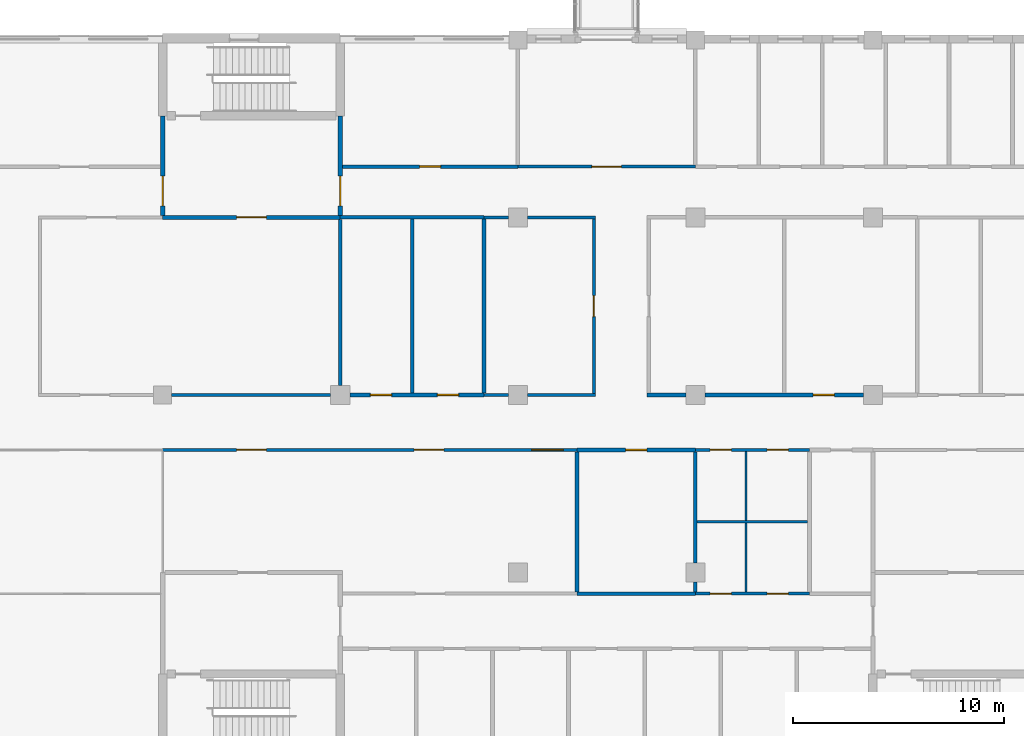
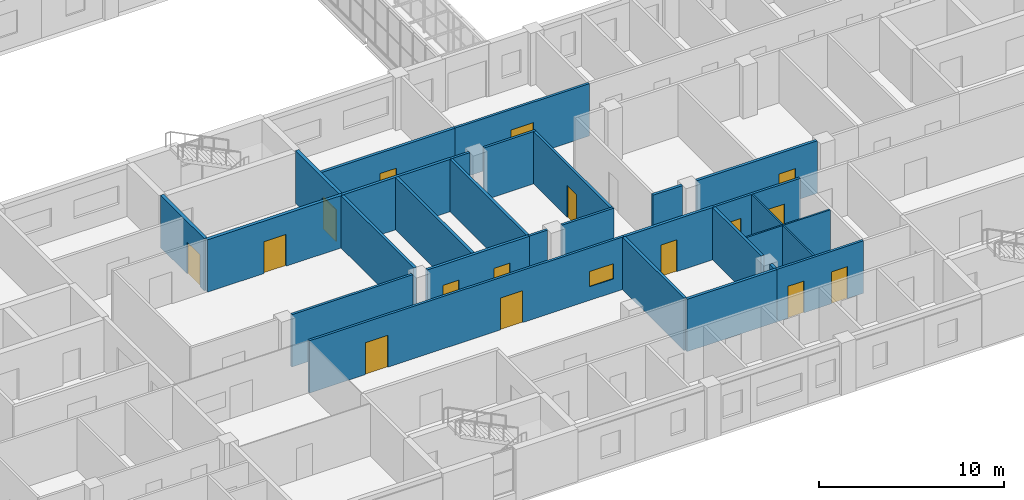
# One storey, part 54 of 94: 29 walls, 16 doors, 1 window, 17 openings.
"""IFC4 building model written with IfcOpenShell, lengths in metres."""

from ifc_helpers import new_model, si_unit, direction, frame, frame_2d, origin, place, context, subcontext, project, spatial, rectangle, extrude, material, layer, layer_set, type_object, element, fill, save


model = new_model("IFC4")

# Units and contexts
model_context = context("Model", 3, precision=1e-05, world=origin(), true_north=direction((0.0, 1.0)))
body_context = subcontext(model_context, "Body", "Model", "MODEL_VIEW")
ifc_project = project(units=[si_unit("LENGTHUNIT", "METRE"), si_unit("AREAUNIT", "SQUARE_METRE"), si_unit("VOLUMEUNIT", "CUBIC_METRE"), si_unit("PLANEANGLEUNIT", "RADIAN"), si_unit("MASSUNIT", "GRAM", prefix="KILO")], contexts=[model_context])

# Site, building, storey
site_placement = place(None, origin())
site = spatial("IfcSite", under=ifc_project, at=site_placement, CompositionType="ELEMENT")
building_placement = place(site_placement, origin())
building = spatial("IfcBuilding", under=site, at=building_placement, Name="Yavir Park General Hospital", CompositionType="ELEMENT")
storey_placement = place(building_placement, frame((0.0, 0.0, 4.5)))
storey = spatial("IfcBuildingStorey", under=building, at=storey_placement, Name="L01", CompositionType="ELEMENT", Elevation=4.5)

# Wall
ifc_material_1 = material(Name="Double-leaf gypsum board acoustic partition on staggered studs")
ifc_layer_1 = layer(ifc_material_1, 0.175048828125)
ifc_layer_set_1 = layer_set([ifc_layer_1], Name="Double-leaf gypsum board acoustic partition on staggered studs")
wall_type_1 = type_object("IfcWallType", Name="Acoustic partition 175", PredefinedType="PARTITIONING", material=ifc_layer_set_1)
wall_1_placement = place(storey_placement, frame((53.199951171875, 7.39990234375, 0.0), z_axis=(0.0, 0.0, 1.0), x_axis=(1.0, 0.0, 0.0)))
element("IfcWall", 1, at=wall_1_placement, inside=storey, type_object=wall_type_1, Name="AP175 L01-017", PredefinedType="PARTITIONING", context=body_context, shape_type="SweptSolid", body=[
    extrude(rectangle(XDim=5.60009765625, YDim=0.175048828125, at=frame_2d((2.800048828125, 0.0))), origin(), (0.0, 0.0, 1.0), 3.449951171875),
])

# Wall, opening, door
wall_2_placement = place(storey_placement, frame((53.199951171875, 14.199951171875, 0.0), z_axis=(0.0, 0.0, 1.0), x_axis=(1.0, 0.0, 0.0)))
wall_2 = element("IfcWall", 2, at=wall_2_placement, inside=storey, type_object=wall_type_1, Name="AP175 L01-049", PredefinedType="PARTITIONING", context=body_context, shape_type="SweptSolid", body=[
    extrude(rectangle(XDim=5.60009765625, YDim=0.175048828125, at=frame_2d((2.800048828125, 0.0))), origin(), (0.0, 0.0, 1.0), 3.449951171875),
])
opening_1_placement = place(wall_2_placement, frame((2.300048828125, 0.0, 0.0)))
opening_1 = element("IfcOpeningElement", 3, at=opening_1_placement, cuts=wall_2, Name="Opening L01.D062", PredefinedType="OPENING", context=body_context, shape_type="SweptSolid", body=[
    extrude(rectangle(XDim=1.0, YDim=2.10009765625, at=frame_2d((0.5, 1.050048828125))), frame((0.0, 0.097412109375, 0.0), z_axis=(0.0, -1.0, 0.0), x_axis=(1.0, 0.0, 0.0)), (0.0, 0.0, 1.0), 0.195068359375),
])
ifc_material_2 = material(Name="Sealed solid-core acoustic door leaf, Rw 42 dB")
door_type_1 = type_object("IfcDoorType", Name="Acoustic door 1000 x 2100", OperationType="SINGLE_SWING_LEFT", PredefinedType="DOOR", material=ifc_material_2)
door_1_placement = place(opening_1_placement, origin())
door_1 = element("IfcDoor", 4, at=door_1_placement, inside=storey, type_object=door_type_1, Name="L01.D062", OperationType="SINGLE_SWING_LEFT", OverallHeight=2.10009765625, OverallWidth=1.0, PredefinedType="DOOR", context=body_context, shape_type="SweptSolid", body=[
    extrude(rectangle(XDim=1.0, YDim=2.10009765625, at=frame_2d((0.5, 1.050048828125))), frame((0.0, 0.03515625, 0.0), z_axis=(0.0, -1.0, 0.0), x_axis=(1.0, 0.0, 0.0)), (0.0, 0.0, 1.0), 0.070068359375),
])
fill(opening_1, door_1)

# Wall, openings, doors
wall_3_placement = place(storey_placement, frame((42.449951171875, 16.800048828125, 0.0), z_axis=(0.0, 0.0, 1.0), x_axis=(1.0, 0.0, 0.0)))
wall_3 = element("IfcWall", 5, at=wall_3_placement, inside=storey, type_object=wall_type_1, Name="AP175 L01-070", PredefinedType="PARTITIONING", context=body_context, shape_type="SweptSolid", body=[
    extrude(rectangle(XDim=6.35009765625, YDim=0.175048828125, at=frame_2d((3.175048828125, 0.0))), origin(), (0.0, 0.0, 1.0), 3.449951171875),
])
opening_2_placement = place(wall_3_placement, frame((0.97509765625, 0.0, 0.0)))
opening_2 = element("IfcOpeningElement", 6, at=opening_2_placement, cuts=wall_3, Name="Opening L01.D085", PredefinedType="OPENING", context=body_context, shape_type="SweptSolid", body=[
    extrude(rectangle(XDim=1.0, YDim=2.10009765625, at=frame_2d((0.5, 1.050048828125))), frame((0.0, 0.097412109375, 0.0), z_axis=(0.0, -1.0, 0.0), x_axis=(1.0, 0.0, 0.0)), (0.0, 0.0, 1.0), 0.195068359375),
])
opening_3_placement = place(wall_3_placement, frame((4.14990234375, 0.0, 0.0)))
opening_3 = element("IfcOpeningElement", 7, at=opening_3_placement, cuts=wall_3, Name="Opening L01.D086", PredefinedType="OPENING", context=body_context, shape_type="SweptSolid", body=[
    extrude(rectangle(XDim=1.0, YDim=2.10009765625, at=frame_2d((0.5, 1.050048828125))), frame((0.0, 0.097412109375, 0.0), z_axis=(0.0, -1.0, 0.0), x_axis=(1.0, 0.0, 0.0)), (0.0, 0.0, 1.0), 0.195068359375),
])
door_2_placement = place(opening_2_placement, origin())
door_2 = element("IfcDoor", 8, at=door_2_placement, inside=storey, type_object=door_type_1, Name="L01.D085", OperationType="SINGLE_SWING_LEFT", OverallHeight=2.10009765625, OverallWidth=1.0, PredefinedType="DOOR", context=body_context, shape_type="SweptSolid", body=[
    extrude(rectangle(XDim=1.0, YDim=2.10009765625, at=frame_2d((0.5, 1.050048828125))), frame((0.0, 0.03515625, 0.0), z_axis=(0.0, -1.0, 0.0), x_axis=(1.0, 0.0, 0.0)), (0.0, 0.0, 1.0), 0.070068359375),
])
fill(opening_2, door_2)
door_3_placement = place(opening_3_placement, origin())
door_3 = element("IfcDoor", 9, at=door_3_placement, inside=storey, type_object=door_type_1, Name="L01.D086", OperationType="SINGLE_SWING_RIGHT", OverallHeight=2.10009765625, OverallWidth=1.0, PredefinedType="DOOR", context=body_context, shape_type="SweptSolid", body=[
    extrude(rectangle(XDim=1.0, YDim=2.10009765625, at=frame_2d((0.5, 1.050048828125))), frame((0.0, 0.03515625, 0.0), z_axis=(0.0, -1.0, 0.0), x_axis=(1.0, 0.0, 0.0)), (0.0, 0.0, 1.0), 0.070068359375),
])
fill(opening_3, door_3)

# Wall
wall_4_placement = place(storey_placement, frame((56.512451171875, 16.800048828125, 0.0), z_axis=(0.0, 0.0, 1.0), x_axis=(1.0, 0.0, 0.0)))
element("IfcWall", 10, at=wall_4_placement, inside=storey, type_object=wall_type_1, Name="AP175 L01-073", PredefinedType="PARTITIONING", context=body_context, shape_type="SweptSolid", body=[
    extrude(rectangle(XDim=1.837646484375, YDim=0.175048828125, at=frame_2d((0.9189453125, 0.0))), origin(), (0.0, 0.0, 1.0), 3.449951171875),
])

# Wall, opening, door
wall_5_placement = place(storey_placement, frame((59.25, 16.800048828125, 0.0), z_axis=(0.0, 0.0, 1.0), x_axis=(1.0, 0.0, 0.0)))
wall_5 = element("IfcWall", 11, at=wall_5_placement, inside=storey, type_object=wall_type_1, Name="AP175 L01-074", PredefinedType="PARTITIONING", context=body_context, shape_type="SweptSolid", body=[
    extrude(rectangle(XDim=7.5, YDim=0.175048828125, at=frame_2d((3.75, 0.0))), origin(), (0.0, 0.0, 1.0), 3.449951171875),
])
opening_4_placement = place(wall_5_placement, frame((5.125, 0.0, 0.0)))
opening_4 = element("IfcOpeningElement", 12, at=opening_4_placement, cuts=wall_5, Name="Opening L01.D087", PredefinedType="OPENING", context=body_context, shape_type="SweptSolid", body=[
    extrude(rectangle(XDim=1.0, YDim=2.10009765625, at=frame_2d((0.5, 1.050048828125))), frame((0.0, 0.097412109375, 0.0), z_axis=(0.0, -1.0, 0.0), x_axis=(1.0, 0.0, 0.0)), (0.0, 0.0, 1.0), 0.195068359375),
])
door_4_placement = place(opening_4_placement, origin())
door_4 = element("IfcDoor", 13, at=door_4_placement, inside=storey, type_object=door_type_1, Name="L01.D087", OperationType="SINGLE_SWING_RIGHT", OverallHeight=2.10009765625, OverallWidth=1.0, PredefinedType="DOOR", context=body_context, shape_type="SweptSolid", body=[
    extrude(rectangle(XDim=1.0, YDim=2.10009765625, at=frame_2d((0.5, 1.050048828125))), frame((0.0, 0.03515625, 0.0), z_axis=(0.0, -1.0, 0.0), x_axis=(1.0, 0.0, 0.0)), (0.0, 0.0, 1.0), 0.070068359375),
])
fill(opening_4, door_4)

# Wall
wall_6_placement = place(storey_placement, frame((42.0, 25.199951171875, 0.0), z_axis=(0.0, 0.0, 1.0), x_axis=(1.0, 0.0, 0.0)))
element("IfcWall", 14, at=wall_6_placement, inside=storey, type_object=wall_type_1, Name="AP175 L01-096", PredefinedType="PARTITIONING", context=body_context, shape_type="SweptSolid", body=[
    extrude(rectangle(XDim=6.800048828125, YDim=0.175048828125, at=frame_2d((3.39990234375, 0.0))), origin(), (0.0, 0.0, 1.0), 3.449951171875),
])

# Wall, opening, door
wall_7_placement = place(storey_placement, frame((42.10009765625, 27.60009765625, 0.0), z_axis=(0.0, 0.0, 1.0), x_axis=(1.0, 0.0, 0.0)))
wall_7 = element("IfcWall", 15, at=wall_7_placement, inside=storey, type_object=wall_type_1, Name="AP175 L01-114", PredefinedType="PARTITIONING", context=body_context, shape_type="SweptSolid", body=[
    extrude(rectangle(XDim=8.2998046875, YDim=0.175048828125, at=frame_2d((4.14990234375, 0.0))), origin(), (0.0, 0.0, 1.0), 3.449951171875),
])
opening_5_placement = place(wall_7_placement, frame((3.64990234375, 0.0, 0.0)))
opening_5 = element("IfcOpeningElement", 16, at=opening_5_placement, cuts=wall_7, Name="Opening L01.D116", PredefinedType="OPENING", context=body_context, shape_type="SweptSolid", body=[
    extrude(rectangle(XDim=1.0, YDim=2.10009765625, at=frame_2d((0.5, 1.050048828125))), frame((0.0, 0.097412109375, 0.0), z_axis=(0.0, -1.0, 0.0), x_axis=(1.0, 0.0, 0.0)), (0.0, 0.0, 1.0), 0.195068359375),
])
door_5_placement = place(opening_5_placement, origin())
door_5 = element("IfcDoor", 17, at=door_5_placement, inside=storey, type_object=door_type_1, Name="L01.D116", OperationType="SINGLE_SWING_LEFT", OverallHeight=2.10009765625, OverallWidth=1.0, PredefinedType="DOOR", context=body_context, shape_type="SweptSolid", body=[
    extrude(rectangle(XDim=1.0, YDim=2.10009765625, at=frame_2d((0.5, 1.050048828125))), frame((0.0, 0.03515625, 0.0), z_axis=(0.0, -1.0, 0.0), x_axis=(1.0, 0.0, 0.0)), (0.0, 0.0, 1.0), 0.070068359375),
])
fill(opening_5, door_5)

# Walls
wall_8_placement = place(storey_placement, frame((42.0, 17.25, 0.0), z_axis=(0.0, 0.0, 1.0), x_axis=(0.0, 1.0, 0.0)))
element("IfcWall", 18, at=wall_8_placement, inside=storey, type_object=wall_type_1, Name="AP175 L01-336", PredefinedType="PARTITIONING", context=body_context, shape_type="SweptSolid", body=[
    extrude(rectangle(XDim=7.85009765625, YDim=0.175048828125, at=frame_2d((3.925048828125, 0.0))), origin(), (0.0, 0.0, 1.0), 3.449951171875),
])
for number, where, z_axis, x_axis, name in (
    (19, (45.39990234375, 16.887451171875, 0.0), (0.0, 0.0, 1.0), (0.0, 1.0, 0.0), "AP175 L01-343"),
    (20, (48.800048828125, 16.887451171875, 0.0), (0.0, 0.0, 1.0), (0.0, 1.0, 0.0), "AP175 L01-347"),
):
    element("IfcWall", number, at=place(storey_placement, frame(where, z_axis=z_axis, x_axis=x_axis)), inside=storey, type_object=wall_type_1, Name=name, PredefinedType="PARTITIONING", context=body_context, shape_type="SweptSolid", body=[
        extrude(rectangle(XDim=8.22509765625, YDim=0.175048828125, at=frame_2d((4.112548828125, 0.0))), origin(), (0.0, 0.0, 1.0), 3.449951171875),
    ])
wall_9_placement = place(storey_placement, frame((53.199951171875, 7.487548828125, 0.0), z_axis=(0.0, 0.0, 1.0), x_axis=(0.0, 1.0, 0.0)))
element("IfcWall", 21, at=wall_9_placement, inside=storey, type_object=wall_type_1, Name="AP175 L01-354", PredefinedType="PARTITIONING", context=body_context, shape_type="SweptSolid", body=[
    extrude(rectangle(XDim=6.625, YDim=0.175048828125, at=frame_2d((3.3125, 0.0))), origin(), (0.0, 0.0, 1.0), 3.449951171875),
])
wall_10_placement = place(storey_placement, frame((58.800048828125, 7.487548828125, 0.0), z_axis=(0.0, 0.0, 1.0), x_axis=(0.0, 1.0, 0.0)))
element("IfcWall", 22, at=wall_10_placement, inside=storey, type_object=wall_type_1, Name="AP175 L01-359", PredefinedType="PARTITIONING", context=body_context, shape_type="SweptSolid", body=[
    extrude(rectangle(XDim=0.46240234375, YDim=0.175048828125, at=frame_2d((0.231201171875, 0.0))), origin(), (0.0, 0.0, 1.0), 3.449951171875),
])
wall_11_placement = place(storey_placement, frame((58.800048828125, 8.85009765625, 0.0), z_axis=(0.0, 0.0, 1.0), x_axis=(0.0, 1.0, 0.0)))
element("IfcWall", 23, at=wall_11_placement, inside=storey, type_object=wall_type_1, Name="AP175 L01-360", PredefinedType="PARTITIONING", context=body_context, shape_type="SweptSolid", body=[
    extrude(rectangle(XDim=5.262451171875, YDim=0.175048828125, at=frame_2d((2.63134765625, 0.0))), origin(), (0.0, 0.0, 1.0), 3.449951171875),
])

# Wall, opening, door
ifc_material_3 = material(Name="Double gypsum board fire partition on steel studs", Category="steel")
ifc_layer_2 = layer(ifc_material_3, 0.199951171875)
ifc_layer_set_2 = layer_set([ifc_layer_2], Name="Double gypsum board fire partition on steel studs")
wall_type_2 = type_object("IfcWallType", Name="Fire-rated partition 200, EI 60", PredefinedType="PARTITIONING", material=ifc_layer_set_2)
wall_12_placement = place(storey_placement, frame((33.60009765625, 25.199951171875, 0.0), z_axis=(0.0, 0.0, 1.0), x_axis=(1.0, 0.0, 0.0)))
wall_12 = element("IfcWall", 24, at=wall_12_placement, inside=storey, type_object=wall_type_2, Name="FP20 L01-095", PredefinedType="PARTITIONING", context=body_context, shape_type="SweptSolid", body=[
    extrude(rectangle(XDim=8.39990234375, YDim=0.199951171875, at=frame_2d((4.199951171875, 0.0))), origin(), (0.0, 0.0, 1.0), 3.449951171875),
])
opening_6_placement = place(wall_12_placement, frame((3.5, 0.0, 0.0)))
opening_6 = element("IfcOpeningElement", 25, at=opening_6_placement, cuts=wall_12, Name="Opening L01.D112", PredefinedType="OPENING", context=body_context, shape_type="SweptSolid", body=[
    extrude(rectangle(XDim=1.39990234375, YDim=2.10009765625, at=frame_2d((0.699951171875, 1.050048828125))), frame((0.0, 0.10986328125, 0.0), z_axis=(0.0, -1.0, 0.0), x_axis=(1.0, 0.0, 0.0)), (0.0, 0.0, 1.0), 0.219970703125),
])
ifc_material_4 = material(Name="Steel frame, fire-resisting timber leaves", Category="steel")
door_type_2 = type_object("IfcDoorType", Name="Double fire door 1400 x 2100, EI 60", OperationType="DOUBLE_DOOR_SINGLE_SWING", PredefinedType="DOOR", material=ifc_material_4)
door_6_placement = place(opening_6_placement, origin())
door_6 = element("IfcDoor", 26, at=door_6_placement, inside=storey, type_object=door_type_2, Name="L01.D112", OperationType="SINGLE_SWING_RIGHT", OverallHeight=2.10009765625, OverallWidth=1.39990234375, PredefinedType="DOOR", context=body_context, shape_type="SweptSolid", body=[
    extrude(rectangle(XDim=1.39990234375, YDim=2.10009765625, at=frame_2d((0.699951171875, 1.050048828125))), frame((0.0, 0.02490234375, 0.0), z_axis=(0.0, -1.0, 0.0), x_axis=(1.0, 0.0, 0.0)), (0.0, 0.0, 1.0), 0.050048828125),
])
fill(opening_6, door_6)

wall_13_placement = place(storey_placement, frame((33.60009765625, 25.300048828125, 0.0), z_axis=(0.0, 0.0, 1.0), x_axis=(0.0, 1.0, 0.0)))
wall_13 = element("IfcWall", 27, at=wall_13_placement, inside=storey, type_object=wall_type_2, Name="FP20 L01-329", PredefinedType="PARTITIONING", context=body_context, shape_type="SweptSolid", body=[
    extrude(rectangle(XDim=4.699951171875, YDim=0.199951171875, at=frame_2d((2.35009765625, 0.0))), origin(), (0.0, 0.0, 1.0), 3.449951171875),
])
opening_7_placement = place(wall_13_placement, frame((0.449951171875, 0.0, 0.0)))
opening_7 = element("IfcOpeningElement", 28, at=opening_7_placement, cuts=wall_13, Name="Opening L01.D227", PredefinedType="OPENING", context=body_context, shape_type="SweptSolid", body=[
    extrude(rectangle(XDim=1.39990234375, YDim=2.10009765625, at=frame_2d((0.699951171875, 1.050048828125))), frame((0.0, 0.10986328125, 0.0), z_axis=(0.0, -1.0, 0.0), x_axis=(1.0, 0.0, 0.0)), (0.0, 0.0, 1.0), 0.219970703125),
])
ifc_material_5 = material(Name="Steel frame, fire-resisting leaves with vision panels", Category="steel")
door_type_3 = type_object("IfcDoorType", Name="Double fire door with vision panels 1400 x 2100, EI 60", OperationType="DOUBLE_DOOR_SINGLE_SWING", PredefinedType="DOOR", material=ifc_material_5)
door_7_placement = place(opening_7_placement, origin())
door_7 = element("IfcDoor", 29, at=door_7_placement, inside=storey, type_object=door_type_3, Name="L01.D227", OperationType="SINGLE_SWING_LEFT", OverallHeight=2.10009765625, OverallWidth=1.39990234375, PredefinedType="DOOR", context=body_context, shape_type="SweptSolid", body=[
    extrude(rectangle(XDim=1.39990234375, YDim=2.10009765625, at=frame_2d((0.699951171875, 1.050048828125))), frame((0.0, 0.030029296875, 0.0), z_axis=(0.0, -1.0, 0.0), x_axis=(1.0, 0.0, 0.0)), (0.0, 0.0, 1.0), 0.06005859375),
])
fill(opening_7, door_7)

wall_14_placement = place(storey_placement, frame((42.0, 25.300048828125, 0.0), z_axis=(0.0, 0.0, 1.0), x_axis=(0.0, 1.0, 0.0)))
wall_14 = element("IfcWall", 30, at=wall_14_placement, inside=storey, type_object=wall_type_2, Name="FP20 L01-337", PredefinedType="PARTITIONING", context=body_context, shape_type="SweptSolid", body=[
    extrude(rectangle(XDim=4.699951171875, YDim=0.199951171875, at=frame_2d((2.35009765625, 0.0))), origin(), (0.0, 0.0, 1.0), 3.449951171875),
])
opening_8_placement = place(wall_14_placement, frame((0.449951171875, 0.0, 0.0)))
opening_8 = element("IfcOpeningElement", 31, at=opening_8_placement, cuts=wall_14, Name="Opening L01.D231", PredefinedType="OPENING", context=body_context, shape_type="SweptSolid", body=[
    extrude(rectangle(XDim=1.39990234375, YDim=2.10009765625, at=frame_2d((0.699951171875, 1.050048828125))), frame((0.0, 0.10986328125, 0.0), z_axis=(0.0, -1.0, 0.0), x_axis=(1.0, 0.0, 0.0)), (0.0, 0.0, 1.0), 0.219970703125),
])
door_8_placement = place(opening_8_placement, origin())
door_8 = element("IfcDoor", 32, at=door_8_placement, inside=storey, type_object=door_type_3, Name="L01.D231", OperationType="SINGLE_SWING_RIGHT", OverallHeight=2.10009765625, OverallWidth=1.39990234375, PredefinedType="DOOR", context=body_context, shape_type="SweptSolid", body=[
    extrude(rectangle(XDim=1.39990234375, YDim=2.10009765625, at=frame_2d((0.699951171875, 1.050048828125))), frame((0.0, 0.030029296875, 0.0), z_axis=(0.0, -1.0, 0.0), x_axis=(1.0, 0.0, 0.0)), (0.0, 0.0, 1.0), 0.06005859375),
])
fill(opening_8, door_8)

# Walls
ifc_material_6 = material(Name="Gypsum board partition on steel studs", Category="steel")
ifc_layer_3 = layer(ifc_material_6, 0.10009765625)
ifc_layer_set_3 = layer_set([ifc_layer_3], Name="Gypsum board partition on steel studs")
wall_type_3 = type_object("IfcWallType", Name="Gypsum board partition 100", PredefinedType="PARTITIONING", material=ifc_layer_set_3)
wall_15_placement = place(storey_placement, frame((58.887451171875, 10.800048828125, 0.0), z_axis=(0.0, 0.0, 1.0), x_axis=(1.0, 0.0, 0.0)))
element("IfcWall", 33, at=wall_15_placement, inside=storey, type_object=wall_type_3, Name="P10 L01-041", PredefinedType="PARTITIONING", context=body_context, shape_type="SweptSolid", body=[
    extrude(rectangle(XDim=5.22509765625, YDim=0.10009765625, at=frame_2d((2.612548828125, 0.0))), origin(), (0.0, 0.0, 1.0), 3.449951171875),
])
for number, where, z_axis, x_axis, name in (
    (34, (61.199951171875, 7.47509765625, 0.0), (0.0, 0.0, 1.0), (0.0, 1.0, 0.0), "P10 L01-366"),
    (35, (61.199951171875, 10.85009765625, 0.0), (0.0, 0.0, 1.0), (0.0, 1.0, 0.0), "P10 L01-367"),
):
    element("IfcWall", number, at=place(storey_placement, frame(where, z_axis=z_axis, x_axis=x_axis)), inside=storey, type_object=wall_type_3, Name=name, PredefinedType="PARTITIONING", context=body_context, shape_type="SweptSolid", body=[
        extrude(rectangle(XDim=3.27490234375, YDim=0.10009765625, at=frame_2d((1.637451171875, 0.0))), origin(), (0.0, 0.0, 1.0), 3.449951171875),
    ])

# Wall, openings, doors
ifc_material_7 = material(Name="Gypsum board partition on steel studs", Category="steel")
ifc_layer_4 = layer(ifc_material_7, 0.14990234375)
ifc_layer_set_4 = layer_set([ifc_layer_4], Name="Gypsum board partition on steel studs")
wall_type_4 = type_object("IfcWallType", Name="Gypsum board partition 150", PredefinedType="PARTITIONING", material=ifc_layer_set_4)
wall_16_placement = place(storey_placement, frame((58.800048828125, 7.39990234375, 0.0), z_axis=(0.0, 0.0, 1.0), x_axis=(1.0, 0.0, 0.0)))
wall_16 = element("IfcWall", 36, at=wall_16_placement, inside=storey, type_object=wall_type_4, Name="P15 L01-018", PredefinedType="PARTITIONING", context=body_context, shape_type="SweptSolid", body=[
    extrude(rectangle(XDim=5.39990234375, YDim=0.14990234375, at=frame_2d((2.699951171875, 0.0))), origin(), (0.0, 0.0, 1.0), 3.449951171875),
])
opening_9_placement = place(wall_16_placement, frame((0.699951171875, 0.0, 0.0)))
opening_9 = element("IfcOpeningElement", 37, at=opening_9_placement, cuts=wall_16, Name="Opening L01.D038", PredefinedType="OPENING", context=body_context, shape_type="SweptSolid", body=[
    extrude(rectangle(XDim=1.0, YDim=2.10009765625, at=frame_2d((0.5, 1.050048828125))), frame((0.0, 0.0849609375, 0.0), z_axis=(0.0, -1.0, 0.0), x_axis=(1.0, 0.0, 0.0)), (0.0, 0.0, 1.0), 0.169921875),
])
opening_10_placement = place(wall_16_placement, frame((3.39990234375, 0.0, 0.0)))
opening_10 = element("IfcOpeningElement", 38, at=opening_10_placement, cuts=wall_16, Name="Opening L01.D039", PredefinedType="OPENING", context=body_context, shape_type="SweptSolid", body=[
    extrude(rectangle(XDim=1.0, YDim=2.10009765625, at=frame_2d((0.5, 1.050048828125))), frame((0.0, 0.0849609375, 0.0), z_axis=(0.0, -1.0, 0.0), x_axis=(1.0, 0.0, 0.0)), (0.0, 0.0, 1.0), 0.169921875),
])
ifc_material_8 = material(Name="Hollow metal frame, solid-core timber leaf", Category="wood")
door_type_4 = type_object("IfcDoorType", Name="Single swing door 1000 x 2100", OperationType="SINGLE_SWING_LEFT", PredefinedType="DOOR", material=ifc_material_8)
door_9_placement = place(opening_9_placement, origin())
door_9 = element("IfcDoor", 39, at=door_9_placement, inside=storey, type_object=door_type_4, Name="L01.D038", OperationType="SINGLE_SWING_RIGHT", OverallHeight=2.10009765625, OverallWidth=1.0, PredefinedType="DOOR", context=body_context, shape_type="SweptSolid", body=[
    extrude(rectangle(XDim=1.0, YDim=2.10009765625, at=frame_2d((0.5, 1.050048828125))), frame((0.0, 0.02490234375, 0.0), z_axis=(0.0, -1.0, 0.0), x_axis=(1.0, 0.0, 0.0)), (0.0, 0.0, 1.0), 0.050048828125),
])
fill(opening_9, door_9)
door_10_placement = place(opening_10_placement, origin())
door_10 = element("IfcDoor", 40, at=door_10_placement, inside=storey, type_object=door_type_4, Name="L01.D039", OperationType="SINGLE_SWING_RIGHT", OverallHeight=2.10009765625, OverallWidth=1.0, PredefinedType="DOOR", context=body_context, shape_type="SweptSolid", body=[
    extrude(rectangle(XDim=1.0, YDim=2.10009765625, at=frame_2d((0.5, 1.050048828125))), frame((0.0, 0.02490234375, 0.0), z_axis=(0.0, -1.0, 0.0), x_axis=(1.0, 0.0, 0.0)), (0.0, 0.0, 1.0), 0.050048828125),
])
fill(opening_10, door_10)

# Wall, openings, doors, window
wall_17_placement = place(storey_placement, frame((33.60009765625, 14.199951171875, 0.0), z_axis=(0.0, 0.0, 1.0), x_axis=(1.0, 0.0, 0.0)))
wall_17 = element("IfcWall", 41, at=wall_17_placement, inside=storey, type_object=wall_type_4, Name="P15 L01-048", PredefinedType="PARTITIONING", context=body_context, shape_type="SweptSolid", body=[
    extrude(rectangle(XDim=19.599853515625, YDim=0.14990234375, at=frame_2d((9.7998046875, 0.0))), origin(), (0.0, 0.0, 1.0), 3.449951171875),
])
opening_11_placement = place(wall_17_placement, frame((3.5, 0.0, 0.0)))
opening_11 = element("IfcOpeningElement", 42, at=opening_11_placement, cuts=wall_17, Name="Opening L01.D060", PredefinedType="OPENING", context=body_context, shape_type="SweptSolid", body=[
    extrude(rectangle(XDim=1.39990234375, YDim=2.10009765625, at=frame_2d((0.699951171875, 1.050048828125))), frame((0.0, 0.0849609375, 0.0), z_axis=(0.0, -1.0, 0.0), x_axis=(1.0, 0.0, 0.0)), (0.0, 0.0, 1.0), 0.169921875),
])
opening_12_placement = place(wall_17_placement, frame((11.89990234375, 0.0, 0.0)))
opening_12 = element("IfcOpeningElement", 43, at=opening_12_placement, cuts=wall_17, Name="Opening L01.D061", PredefinedType="OPENING", context=body_context, shape_type="SweptSolid", body=[
    extrude(rectangle(XDim=1.39990234375, YDim=2.10009765625, at=frame_2d((0.699951171875, 1.050048828125))), frame((0.0, 0.0849609375, 0.0), z_axis=(0.0, -1.0, 0.0), x_axis=(1.0, 0.0, 0.0)), (0.0, 0.0, 1.0), 0.169921875),
])
opening_13_placement = place(wall_17_placement, frame((17.449951171875, 0.0, 0.89990234375)))
opening_13 = element("IfcOpeningElement", 44, at=opening_13_placement, cuts=wall_17, Name="Opening L01.903", PredefinedType="OPENING", context=body_context, shape_type="SweptSolid", body=[
    extrude(rectangle(XDim=1.5, YDim=1.0, at=frame_2d((0.75, 0.5))), frame((0.0, 0.0849609375, 0.0), z_axis=(0.0, -1.0, 0.0), x_axis=(1.0, 0.0, 0.0)), (0.0, 0.0, 1.0), 0.169921875),
])
ifc_material_9 = material(Name="Hollow metal frame, solid-core timber leaf", Category="wood")
door_type_5 = type_object("IfcDoorType", Name="Double swing door 1400 x 2100", OperationType="DOUBLE_DOOR_SINGLE_SWING", PredefinedType="DOOR", material=ifc_material_9)
door_11_placement = place(opening_11_placement, origin())
door_11 = element("IfcDoor", 45, at=door_11_placement, inside=storey, type_object=door_type_5, Name="L01.D060", OperationType="SINGLE_SWING_LEFT", OverallHeight=2.10009765625, OverallWidth=1.39990234375, PredefinedType="DOOR", context=body_context, shape_type="SweptSolid", body=[
    extrude(rectangle(XDim=1.39990234375, YDim=2.10009765625, at=frame_2d((0.699951171875, 1.050048828125))), frame((0.0, 0.02490234375, 0.0), z_axis=(0.0, -1.0, 0.0), x_axis=(1.0, 0.0, 0.0)), (0.0, 0.0, 1.0), 0.050048828125),
])
fill(opening_11, door_11)
door_12_placement = place(opening_12_placement, origin())
door_12 = element("IfcDoor", 46, at=door_12_placement, inside=storey, type_object=door_type_5, Name="L01.D061", OperationType="SINGLE_SWING_LEFT", OverallHeight=2.10009765625, OverallWidth=1.39990234375, PredefinedType="DOOR", context=body_context, shape_type="SweptSolid", body=[
    extrude(rectangle(XDim=1.39990234375, YDim=2.10009765625, at=frame_2d((0.699951171875, 1.050048828125))), frame((0.0, 0.02490234375, 0.0), z_axis=(0.0, -1.0, 0.0), x_axis=(1.0, 0.0, 0.0)), (0.0, 0.0, 1.0), 0.050048828125),
])
fill(opening_12, door_12)
ifc_material_10 = material(Name="Toughened glass sliding panels, aluminium frame", Category="aluminium")
window_type = type_object("IfcWindowType", Name="Reception counter window 1500 x 1000", PartitioningType="DOUBLE_PANEL_HORIZONTAL", PredefinedType="WINDOW", material=ifc_material_10)
window_placement = place(opening_13_placement, origin())
window = element("IfcWindow", 47, at=window_placement, inside=storey, type_object=window_type, Name="L01.903", OverallHeight=1.0, OverallWidth=1.5, PartitioningType="DOUBLE_PANEL_HORIZONTAL", PredefinedType="WINDOW", context=body_context, shape_type="SweptSolid", body=[
    extrude(rectangle(XDim=1.5, YDim=1.0, at=frame_2d((0.75, 0.5))), frame((0.0, 0.02490234375, 0.0), z_axis=(0.0, -1.0, 0.0), x_axis=(1.0, 0.0, 0.0)), (0.0, 0.0, 1.0), 0.050048828125),
])
fill(opening_13, window)

# Wall, openings, doors
wall_18_placement = place(storey_placement, frame((58.800048828125, 14.199951171875, 0.0), z_axis=(0.0, 0.0, 1.0), x_axis=(1.0, 0.0, 0.0)))
wall_18 = element("IfcWall", 48, at=wall_18_placement, inside=storey, type_object=wall_type_4, Name="P15 L01-050", PredefinedType="PARTITIONING", context=body_context, shape_type="SweptSolid", body=[
    extrude(rectangle(XDim=5.39990234375, YDim=0.14990234375, at=frame_2d((2.699951171875, 0.0))), origin(), (0.0, 0.0, 1.0), 3.449951171875),
])
opening_14_placement = place(wall_18_placement, frame((0.699951171875, 0.0, 0.0)))
opening_14 = element("IfcOpeningElement", 49, at=opening_14_placement, cuts=wall_18, Name="Opening L01.D063", PredefinedType="OPENING", context=body_context, shape_type="SweptSolid", body=[
    extrude(rectangle(XDim=1.0, YDim=2.10009765625, at=frame_2d((0.5, 1.050048828125))), frame((0.0, 0.0849609375, 0.0), z_axis=(0.0, -1.0, 0.0), x_axis=(1.0, 0.0, 0.0)), (0.0, 0.0, 1.0), 0.169921875),
])
opening_15_placement = place(wall_18_placement, frame((3.39990234375, 0.0, 0.0)))
opening_15 = element("IfcOpeningElement", 50, at=opening_15_placement, cuts=wall_18, Name="Opening L01.D064", PredefinedType="OPENING", context=body_context, shape_type="SweptSolid", body=[
    extrude(rectangle(XDim=1.0, YDim=2.10009765625, at=frame_2d((0.5, 1.050048828125))), frame((0.0, 0.0849609375, 0.0), z_axis=(0.0, -1.0, 0.0), x_axis=(1.0, 0.0, 0.0)), (0.0, 0.0, 1.0), 0.169921875),
])
door_13_placement = place(opening_14_placement, origin())
door_13 = element("IfcDoor", 51, at=door_13_placement, inside=storey, type_object=door_type_4, Name="L01.D063", OperationType="SINGLE_SWING_LEFT", OverallHeight=2.10009765625, OverallWidth=1.0, PredefinedType="DOOR", context=body_context, shape_type="SweptSolid", body=[
    extrude(rectangle(XDim=1.0, YDim=2.10009765625, at=frame_2d((0.5, 1.050048828125))), frame((0.0, 0.02490234375, 0.0), z_axis=(0.0, -1.0, 0.0), x_axis=(1.0, 0.0, 0.0)), (0.0, 0.0, 1.0), 0.050048828125),
])
fill(opening_14, door_13)
door_14_placement = place(opening_15_placement, origin())
door_14 = element("IfcDoor", 52, at=door_14_placement, inside=storey, type_object=door_type_4, Name="L01.D064", OperationType="SINGLE_SWING_LEFT", OverallHeight=2.10009765625, OverallWidth=1.0, PredefinedType="DOOR", context=body_context, shape_type="SweptSolid", body=[
    extrude(rectangle(XDim=1.0, YDim=2.10009765625, at=frame_2d((0.5, 1.050048828125))), frame((0.0, 0.02490234375, 0.0), z_axis=(0.0, -1.0, 0.0), x_axis=(1.0, 0.0, 0.0)), (0.0, 0.0, 1.0), 0.050048828125),
])
fill(opening_15, door_14)

# Walls
wall_19_placement = place(storey_placement, frame((34.02490234375, 16.800048828125, 0.0), z_axis=(0.0, 0.0, 1.0), x_axis=(1.0, 0.0, 0.0)))
element("IfcWall", 53, at=wall_19_placement, inside=storey, type_object=wall_type_4, Name="P15 L01-069", PredefinedType="PARTITIONING", context=body_context, shape_type="SweptSolid", body=[
    extrude(rectangle(XDim=7.525146484375, YDim=0.14990234375, at=frame_2d((3.7626953125, 0.0))), origin(), (0.0, 0.0, 1.0), 3.449951171875),
])
wall_20_placement = place(storey_placement, frame((48.800048828125, 16.800048828125, 0.0), z_axis=(0.0, 0.0, 1.0), x_axis=(1.0, 0.0, 0.0)))
element("IfcWall", 54, at=wall_20_placement, inside=storey, type_object=wall_type_4, Name="P15 L01-071", PredefinedType="PARTITIONING", context=body_context, shape_type="SweptSolid", body=[
    extrude(rectangle(XDim=1.14990234375, YDim=0.14990234375, at=frame_2d((0.574951171875, 0.0))), origin(), (0.0, 0.0, 1.0), 3.449951171875),
])
wall_21_placement = place(storey_placement, frame((50.85009765625, 16.800048828125, 0.0), z_axis=(0.0, 0.0, 1.0), x_axis=(1.0, 0.0, 0.0)))
element("IfcWall", 55, at=wall_21_placement, inside=storey, type_object=wall_type_4, Name="P15 L01-072", PredefinedType="PARTITIONING", context=body_context, shape_type="SweptSolid", body=[
    extrude(rectangle(XDim=3.224853515625, YDim=0.14990234375, at=frame_2d((1.6123046875, 0.0))), origin(), (0.0, 0.0, 1.0), 3.449951171875),
])
wall_22_placement = place(storey_placement, frame((48.800048828125, 25.199951171875, 0.0), z_axis=(0.0, 0.0, 1.0), x_axis=(1.0, 0.0, 0.0)))
element("IfcWall", 56, at=wall_22_placement, inside=storey, type_object=wall_type_4, Name="P15 L01-097", PredefinedType="PARTITIONING", context=body_context, shape_type="SweptSolid", body=[
    extrude(rectangle(XDim=1.14990234375, YDim=0.14990234375, at=frame_2d((0.574951171875, 0.0))), origin(), (0.0, 0.0, 1.0), 3.449951171875),
])
wall_23_placement = place(storey_placement, frame((50.85009765625, 25.199951171875, 0.0), z_axis=(0.0, 0.0, 1.0), x_axis=(1.0, 0.0, 0.0)))
element("IfcWall", 57, at=wall_23_placement, inside=storey, type_object=wall_type_4, Name="P15 L01-098", PredefinedType="PARTITIONING", context=body_context, shape_type="SweptSolid", body=[
    extrude(rectangle(XDim=3.224853515625, YDim=0.14990234375, at=frame_2d((1.6123046875, 0.0))), origin(), (0.0, 0.0, 1.0), 3.449951171875),
])

# Wall, opening, door
wall_24_placement = place(storey_placement, frame((50.39990234375, 27.60009765625, 0.0), z_axis=(0.0, 0.0, 1.0), x_axis=(1.0, 0.0, 0.0)))
wall_24 = element("IfcWall", 58, at=wall_24_placement, inside=storey, type_object=wall_type_4, Name="P15 L01-115", PredefinedType="PARTITIONING", context=body_context, shape_type="SweptSolid", body=[
    extrude(rectangle(XDim=8.400146484375, YDim=0.14990234375, at=frame_2d((4.2001953125, 0.0))), origin(), (0.0, 0.0, 1.0), 3.449951171875),
])
opening_16_placement = place(wall_24_placement, frame((3.5, 0.0, 0.0)))
opening_16 = element("IfcOpeningElement", 59, at=opening_16_placement, cuts=wall_24, Name="Opening L01.D117", PredefinedType="OPENING", context=body_context, shape_type="SweptSolid", body=[
    extrude(rectangle(XDim=1.39990234375, YDim=2.10009765625, at=frame_2d((0.699951171875, 1.050048828125))), frame((0.0, 0.0849609375, 0.0), z_axis=(0.0, -1.0, 0.0), x_axis=(1.0, 0.0, 0.0)), (0.0, 0.0, 1.0), 0.169921875),
])
door_15_placement = place(opening_16_placement, origin())
door_15 = element("IfcDoor", 60, at=door_15_placement, inside=storey, type_object=door_type_5, Name="L01.D117", OperationType="SINGLE_SWING_LEFT", OverallHeight=2.10009765625, OverallWidth=1.39990234375, PredefinedType="DOOR", context=body_context, shape_type="SweptSolid", body=[
    extrude(rectangle(XDim=1.39990234375, YDim=2.10009765625, at=frame_2d((0.699951171875, 1.050048828125))), frame((0.0, 0.02490234375, 0.0), z_axis=(0.0, -1.0, 0.0), x_axis=(1.0, 0.0, 0.0)), (0.0, 0.0, 1.0), 0.050048828125),
])
fill(opening_16, door_15)

wall_25_placement = place(storey_placement, frame((54.0, 16.875, 0.0), z_axis=(0.0, 0.0, 1.0), x_axis=(0.0, 1.0, 0.0)))
wall_25 = element("IfcWall", 61, at=wall_25_placement, inside=storey, type_object=wall_type_4, Name="P15 L01-355", PredefinedType="PARTITIONING", context=body_context, shape_type="SweptSolid", body=[
    extrude(rectangle(XDim=8.25, YDim=0.14990234375, at=frame_2d((4.125, 0.0))), origin(), (0.0, 0.0, 1.0), 3.449951171875),
])
opening_17_placement = place(wall_25_placement, frame((3.625, 0.0, 0.0)))
opening_17 = element("IfcOpeningElement", 62, at=opening_17_placement, cuts=wall_25, Name="Opening L01.D232", PredefinedType="OPENING", context=body_context, shape_type="SweptSolid", body=[
    extrude(rectangle(XDim=1.0, YDim=2.10009765625, at=frame_2d((0.5, 1.050048828125))), frame((0.0, 0.0849609375, 0.0), z_axis=(0.0, -1.0, 0.0), x_axis=(1.0, 0.0, 0.0)), (0.0, 0.0, 1.0), 0.169921875),
])
door_16_placement = place(opening_17_placement, origin())
door_16 = element("IfcDoor", 63, at=door_16_placement, inside=storey, type_object=door_type_4, Name="L01.D232", OperationType="SINGLE_SWING_RIGHT", OverallHeight=2.10009765625, OverallWidth=1.0, PredefinedType="DOOR", context=body_context, shape_type="SweptSolid", body=[
    extrude(rectangle(XDim=1.0, YDim=2.10009765625, at=frame_2d((0.5, 1.050048828125))), frame((0.0, 0.02490234375, 0.0), z_axis=(0.0, -1.0, 0.0), x_axis=(1.0, 0.0, 0.0)), (0.0, 0.0, 1.0), 0.050048828125),
])
fill(opening_17, door_16)

save(model, "model.ifc")
